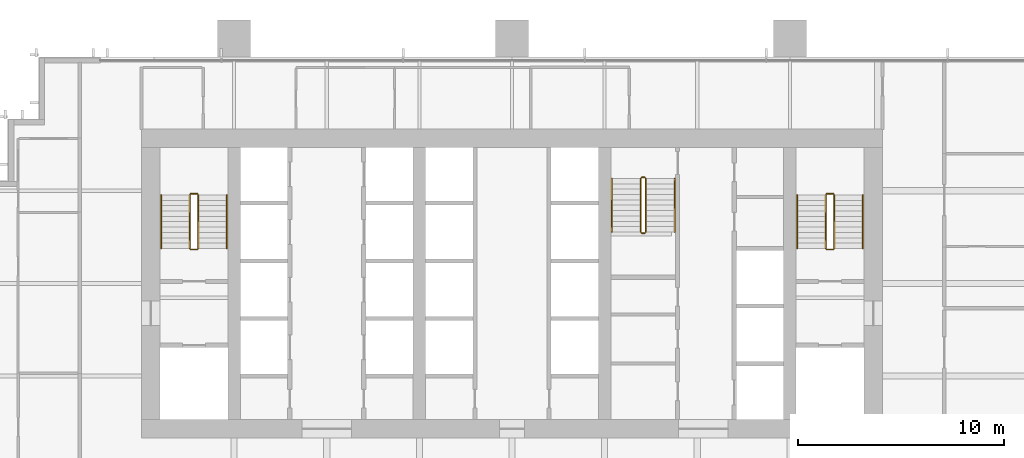
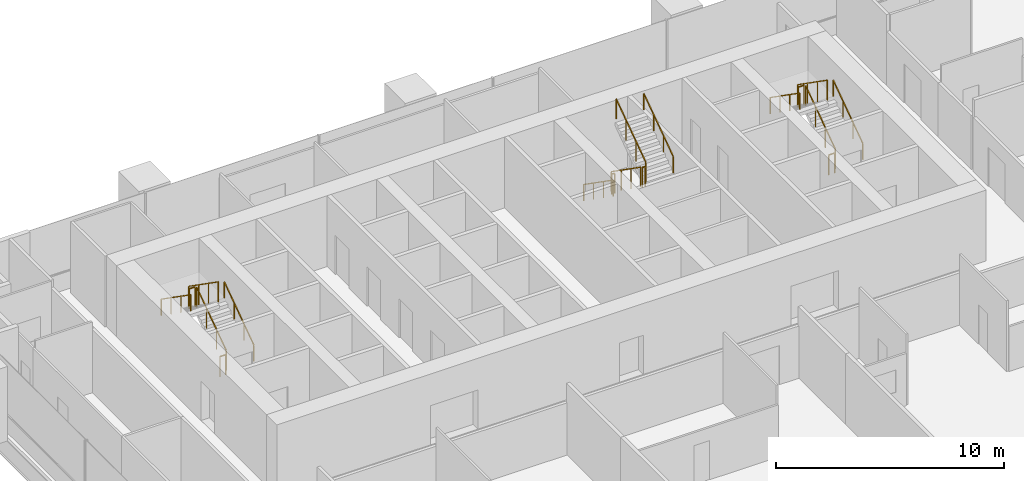
# One storey, part 17 of 17: 18 railings.
"""IFC4 building model written with IfcOpenShell, lengths in metres."""

from ifc_helpers import new_model, si_unit, direction, frame, origin, origin_2d, place, context, subcontext, project, spatial, rectangle, extrude, material, type_object, element, save


model = new_model("IFC4")

# Units and contexts
model_context = context("Model", 3, precision=1e-05, world=origin(), true_north=direction((0.0, 1.0)))
body_context = subcontext(model_context, "Body", "Model", "MODEL_VIEW")
ifc_project = project(units=[si_unit("LENGTHUNIT", "METRE"), si_unit("AREAUNIT", "SQUARE_METRE"), si_unit("VOLUMEUNIT", "CUBIC_METRE"), si_unit("PLANEANGLEUNIT", "RADIAN"), si_unit("MASSUNIT", "GRAM", prefix="KILO")], contexts=[model_context])

# Site, building, storey
site_placement = place(None, origin())
site = spatial("IfcSite", under=ifc_project, at=site_placement, CompositionType="ELEMENT")
building_placement = place(site_placement, origin())
building = spatial("IfcBuilding", under=site, at=building_placement, Name="Rattan Terrace Tower", CompositionType="ELEMENT")
storey_placement = place(building_placement, frame((0.0, 0.0, 107.699951171875)))
storey = spatial("IfcBuildingStorey", under=building, at=storey_placement, Name="L24", CompositionType="ELEMENT", Elevation=107.699951171875)

# Railings
ifc_material_1 = material(Name="Powder-coated steel guard", Category="steel")
railing_type_1 = type_object("IfcRailingType", Name="Core stair guard", PredefinedType="GUARDRAIL", material=ifc_material_1)
railing_1_placement = place(storey_placement, frame((-15.25, 1.699951171875, 0.181884765625)))
element("IfcRailing", 1, at=railing_1_placement, inside=storey, type_object=railing_type_1, Name="L24 S1 stair guard 1", PredefinedType="GUARDRAIL", context=body_context, shape_type="SweptSolid", body=[
    extrude(rectangle(XDim=0.048095703125, YDim=0.048095703125, at=origin_2d()), frame((0.0, 0.0, 1.076171875), z_axis=(0.0, 0.819521025635, 0.573049115296), x_axis=(-1.0, 0.0, 0.0)), (0.0, 0.0, 1.0), 3.172607421875),
    extrude(rectangle(XDim=0.0419921875, YDim=0.0419921875, at=origin_2d()), origin(), (0.0, 0.0, 1.0), 1.052001953125),
    extrude(rectangle(XDim=0.0419921875, YDim=0.0419921875, at=origin_2d()), frame((0.0, 0.86669921875, 0.60595703125)), (0.0, 0.0, 1.0), 1.052001953125),
    extrude(rectangle(XDim=0.0419921875, YDim=0.0419921875, at=origin_2d()), frame((0.0, 1.7333984375, 1.212158203125)), (0.0, 0.0, 1.0), 1.052001953125),
    extrude(rectangle(XDim=0.0419921875, YDim=0.0419921875, at=origin_2d()), frame((0.0, 2.60009765625, 1.818115234375)), (0.0, 0.0, 1.0), 1.052001953125),
])
railing_2_placement = place(storey_placement, frame((-15.300048828125, 4.35009765625, 2.0)))
element("IfcRailing", 2, at=railing_2_placement, inside=storey, type_object=railing_type_1, Name="L24 S1 stair guard 2", PredefinedType="GUARDRAIL", context=body_context, shape_type="SweptSolid", body=[
    extrude(rectangle(XDim=0.048095703125, YDim=0.048095703125, at=origin_2d()), frame((0.0, 0.0, 1.076171875), z_axis=(-1.0, 0.0, 0.0), x_axis=(0.0, -1.0, 0.0)), (0.0, 0.0, 1.0), 0.300048828125),
    extrude(rectangle(XDim=0.0419921875, YDim=0.0419921875, at=origin_2d()), origin(), (0.0, 0.0, 1.0), 1.052001953125),
    extrude(rectangle(XDim=0.0419921875, YDim=0.0419921875, at=origin_2d()), frame((-0.300048828125, 0.0, 0.0)), (0.0, 0.0, 1.0), 1.052001953125),
])
railing_3_placement = place(storey_placement, frame((-15.64990234375, 4.300048828125, 2.181884765625)))
element("IfcRailing", 3, at=railing_3_placement, inside=storey, type_object=railing_type_1, Name="L24 S1 stair guard 3", PredefinedType="GUARDRAIL", context=body_context, shape_type="SweptSolid", body=[
    extrude(rectangle(XDim=0.048095703125, YDim=0.048095703125, at=origin_2d()), frame((0.0, 0.0, 1.076171875), z_axis=(0.0, -0.819521025635, 0.573049115296), x_axis=(1.0, 0.0, 0.0)), (0.0, 0.0, 1.0), 3.172607421875),
    extrude(rectangle(XDim=0.0419921875, YDim=0.0419921875, at=origin_2d()), origin(), (0.0, 0.0, 1.0), 1.052001953125),
    extrude(rectangle(XDim=0.0419921875, YDim=0.0419921875, at=origin_2d()), frame((0.0, -0.86669921875, 0.60595703125)), (0.0, 0.0, 1.0), 1.052001953125),
    extrude(rectangle(XDim=0.0419921875, YDim=0.0419921875, at=origin_2d()), frame((0.0, -1.7333984375, 1.212158203125)), (0.0, 0.0, 1.0), 1.052001953125),
    extrude(rectangle(XDim=0.0419921875, YDim=0.0419921875, at=origin_2d()), frame((0.0, -2.60009765625, 1.818115234375)), (0.0, 0.0, 1.0), 1.052001953125),
])
railing_4_placement = place(storey_placement, frame((-15.300048828125, 1.64990234375, 0.0)))
element("IfcRailing", 4, at=railing_4_placement, inside=storey, type_object=railing_type_1, Name="L24 S1 stair guard 4", PredefinedType="GUARDRAIL", context=body_context, shape_type="SweptSolid", body=[
    extrude(rectangle(XDim=0.048095703125, YDim=0.048095703125, at=origin_2d()), frame((0.0, 0.0, 1.076171875), z_axis=(-1.0, 0.0, 0.0), x_axis=(0.0, -1.0, 0.0)), (0.0, 0.0, 1.0), 0.300048828125),
    extrude(rectangle(XDim=0.0419921875, YDim=0.0419921875, at=origin_2d()), origin(), (0.0, 0.0, 1.0), 1.052001953125),
    extrude(rectangle(XDim=0.0419921875, YDim=0.0419921875, at=origin_2d()), frame((-0.300048828125, 0.0, 0.0)), (0.0, 0.0, 1.0), 1.052001953125),
])
railing_5_placement = place(storey_placement, frame((15.64990234375, 1.699951171875, 0.181884765625)))
element("IfcRailing", 5, at=railing_5_placement, inside=storey, type_object=railing_type_1, Name="L24 S2 stair guard 1", PredefinedType="GUARDRAIL", context=body_context, shape_type="SweptSolid", body=[
    extrude(rectangle(XDim=0.048095703125, YDim=0.048095703125, at=origin_2d()), frame((0.0, 0.0, 1.076171875), z_axis=(0.0, 0.819521025635, 0.573049115296), x_axis=(-1.0, 0.0, 0.0)), (0.0, 0.0, 1.0), 3.172607421875),
    extrude(rectangle(XDim=0.0419921875, YDim=0.0419921875, at=origin_2d()), origin(), (0.0, 0.0, 1.0), 1.052001953125),
    extrude(rectangle(XDim=0.0419921875, YDim=0.0419921875, at=origin_2d()), frame((0.0, 0.86669921875, 0.60595703125)), (0.0, 0.0, 1.0), 1.052001953125),
    extrude(rectangle(XDim=0.0419921875, YDim=0.0419921875, at=origin_2d()), frame((0.0, 1.7333984375, 1.212158203125)), (0.0, 0.0, 1.0), 1.052001953125),
    extrude(rectangle(XDim=0.0419921875, YDim=0.0419921875, at=origin_2d()), frame((0.0, 2.60009765625, 1.818115234375)), (0.0, 0.0, 1.0), 1.052001953125),
])
railing_6_placement = place(storey_placement, frame((15.60009765625, 4.35009765625, 2.0)))
element("IfcRailing", 6, at=railing_6_placement, inside=storey, type_object=railing_type_1, Name="L24 S2 stair guard 2", PredefinedType="GUARDRAIL", context=body_context, shape_type="SweptSolid", body=[
    extrude(rectangle(XDim=0.048095703125, YDim=0.048095703125, at=origin_2d()), frame((0.0, 0.0, 1.076171875), z_axis=(-1.0, 0.0, 0.0), x_axis=(0.0, -1.0, 0.0)), (0.0, 0.0, 1.0), 0.300048828125),
    extrude(rectangle(XDim=0.0419921875, YDim=0.0419921875, at=origin_2d()), origin(), (0.0, 0.0, 1.0), 1.052001953125),
    extrude(rectangle(XDim=0.0419921875, YDim=0.0419921875, at=origin_2d()), frame((-0.300048828125, 0.0, 0.0)), (0.0, 0.0, 1.0), 1.052001953125),
])
railing_7_placement = place(storey_placement, frame((15.25, 4.300048828125, 2.181884765625)))
element("IfcRailing", 7, at=railing_7_placement, inside=storey, type_object=railing_type_1, Name="L24 S2 stair guard 3", PredefinedType="GUARDRAIL", context=body_context, shape_type="SweptSolid", body=[
    extrude(rectangle(XDim=0.048095703125, YDim=0.048095703125, at=origin_2d()), frame((0.0, 0.0, 1.076171875), z_axis=(0.0, -0.819521025635, 0.573049115296), x_axis=(1.0, 0.0, 0.0)), (0.0, 0.0, 1.0), 3.172607421875),
    extrude(rectangle(XDim=0.0419921875, YDim=0.0419921875, at=origin_2d()), origin(), (0.0, 0.0, 1.0), 1.052001953125),
    extrude(rectangle(XDim=0.0419921875, YDim=0.0419921875, at=origin_2d()), frame((0.0, -0.86669921875, 0.60595703125)), (0.0, 0.0, 1.0), 1.052001953125),
    extrude(rectangle(XDim=0.0419921875, YDim=0.0419921875, at=origin_2d()), frame((0.0, -1.7333984375, 1.212158203125)), (0.0, 0.0, 1.0), 1.052001953125),
    extrude(rectangle(XDim=0.0419921875, YDim=0.0419921875, at=origin_2d()), frame((0.0, -2.60009765625, 1.818115234375)), (0.0, 0.0, 1.0), 1.052001953125),
])
railing_8_placement = place(storey_placement, frame((15.60009765625, 1.64990234375, 0.0)))
element("IfcRailing", 8, at=railing_8_placement, inside=storey, type_object=railing_type_1, Name="L24 S2 stair guard 4", PredefinedType="GUARDRAIL", context=body_context, shape_type="SweptSolid", body=[
    extrude(rectangle(XDim=0.048095703125, YDim=0.048095703125, at=origin_2d()), frame((0.0, 0.0, 1.076171875), z_axis=(-1.0, 0.0, 0.0), x_axis=(0.0, -1.0, 0.0)), (0.0, 0.0, 1.0), 0.300048828125),
    extrude(rectangle(XDim=0.0419921875, YDim=0.0419921875, at=origin_2d()), origin(), (0.0, 0.0, 1.0), 1.052001953125),
    extrude(rectangle(XDim=0.0419921875, YDim=0.0419921875, at=origin_2d()), frame((-0.300048828125, 0.0, 0.0)), (0.0, 0.0, 1.0), 1.052001953125),
])
railing_9_placement = place(storey_placement, frame((6.25, 5.10009765625, 0.181884765625)))
element("IfcRailing", 9, at=railing_9_placement, inside=storey, type_object=railing_type_1, Name="L24 S3 stair guard 1", PredefinedType="GUARDRAIL", context=body_context, shape_type="SweptSolid", body=[
    extrude(rectangle(XDim=0.048095703125, YDim=0.048095703125, at=origin_2d()), frame((0.0, 0.0, 1.076171875), z_axis=(0.0, -0.819521025635, 0.573049115296), x_axis=(1.0, 0.0, 0.0)), (0.0, 0.0, 1.0), 3.172607421875),
    extrude(rectangle(XDim=0.0419921875, YDim=0.0419921875, at=origin_2d()), origin(), (0.0, 0.0, 1.0), 1.052001953125),
    extrude(rectangle(XDim=0.0419921875, YDim=0.0419921875, at=origin_2d()), frame((0.0, -0.86669921875, 0.60595703125)), (0.0, 0.0, 1.0), 1.052001953125),
    extrude(rectangle(XDim=0.0419921875, YDim=0.0419921875, at=origin_2d()), frame((0.0, -1.7333984375, 1.212158203125)), (0.0, 0.0, 1.0), 1.052001953125),
    extrude(rectangle(XDim=0.0419921875, YDim=0.0419921875, at=origin_2d()), frame((0.0, -2.60009765625, 1.818115234375)), (0.0, 0.0, 1.0), 1.052001953125),
])
railing_10_placement = place(storey_placement, frame((6.300048828125, 2.449951171875, 2.0)))
element("IfcRailing", 10, at=railing_10_placement, inside=storey, type_object=railing_type_1, Name="L24 S3 stair guard 2", PredefinedType="GUARDRAIL", context=body_context, shape_type="SweptSolid", body=[
    extrude(rectangle(XDim=0.048095703125, YDim=0.048095703125, at=origin_2d()), frame((0.0, 0.0, 1.076171875), z_axis=(1.0, 0.0, 0.0), x_axis=(0.0, 1.0, 0.0)), (0.0, 0.0, 1.0), 0.14990234375),
    extrude(rectangle(XDim=0.0419921875, YDim=0.0419921875, at=origin_2d()), origin(), (0.0, 0.0, 1.0), 1.052001953125),
    extrude(rectangle(XDim=0.0419921875, YDim=0.0419921875, at=origin_2d()), frame((0.14990234375, 0.0, 0.0)), (0.0, 0.0, 1.0), 1.052001953125),
])
railing_11_placement = place(storey_placement, frame((6.5, 2.5, 2.181884765625)))
element("IfcRailing", 11, at=railing_11_placement, inside=storey, type_object=railing_type_1, Name="L24 S3 stair guard 3", PredefinedType="GUARDRAIL", context=body_context, shape_type="SweptSolid", body=[
    extrude(rectangle(XDim=0.048095703125, YDim=0.048095703125, at=origin_2d()), frame((0.0, 0.0, 1.076171875), z_axis=(0.0, 0.819521025635, 0.573049115296), x_axis=(-1.0, 0.0, 0.0)), (0.0, 0.0, 1.0), 3.172607421875),
    extrude(rectangle(XDim=0.0419921875, YDim=0.0419921875, at=origin_2d()), origin(), (0.0, 0.0, 1.0), 1.052001953125),
    extrude(rectangle(XDim=0.0419921875, YDim=0.0419921875, at=origin_2d()), frame((0.0, 0.86669921875, 0.60595703125)), (0.0, 0.0, 1.0), 1.052001953125),
    extrude(rectangle(XDim=0.0419921875, YDim=0.0419921875, at=origin_2d()), frame((0.0, 1.7333984375, 1.212158203125)), (0.0, 0.0, 1.0), 1.052001953125),
    extrude(rectangle(XDim=0.0419921875, YDim=0.0419921875, at=origin_2d()), frame((0.0, 2.60009765625, 1.818115234375)), (0.0, 0.0, 1.0), 1.052001953125),
])
railing_12_placement = place(storey_placement, frame((6.300048828125, 5.14990234375, 0.0)))
element("IfcRailing", 12, at=railing_12_placement, inside=storey, type_object=railing_type_1, Name="L24 S3 stair guard 4", PredefinedType="GUARDRAIL", context=body_context, shape_type="SweptSolid", body=[
    extrude(rectangle(XDim=0.048095703125, YDim=0.048095703125, at=origin_2d()), frame((0.0, 0.0, 1.076171875), z_axis=(1.0, 0.0, 0.0), x_axis=(0.0, 1.0, 0.0)), (0.0, 0.0, 1.0), 0.14990234375),
    extrude(rectangle(XDim=0.0419921875, YDim=0.0419921875, at=origin_2d()), origin(), (0.0, 0.0, 1.0), 1.052001953125),
    extrude(rectangle(XDim=0.0419921875, YDim=0.0419921875, at=origin_2d()), frame((0.14990234375, 0.0, 0.0)), (0.0, 0.0, 1.0), 1.052001953125),
])
ifc_material_2 = material(Name="Powder-coated steel handrail", Category="steel")
railing_type_2 = type_object("IfcRailingType", Name="Core stair handrail", PredefinedType="HANDRAIL", material=ifc_material_2)
railing_13_placement = place(storey_placement, frame((-13.85009765625, 1.699951171875, 0.181884765625)))
element("IfcRailing", 13, at=railing_13_placement, inside=storey, type_object=railing_type_2, Name="L24 S1 stair handrail 1", PredefinedType="HANDRAIL", context=body_context, shape_type="SweptSolid", body=[
    extrude(rectangle(XDim=0.048095703125, YDim=0.048095703125, at=origin_2d()), frame((0.0, 0.0, 0.8759765625), z_axis=(0.0, 0.819521025635, 0.573049115296), x_axis=(-1.0, 0.0, 0.0)), (0.0, 0.0, 1.0), 3.172607421875),
    extrude(rectangle(XDim=0.0419921875, YDim=0.0419921875, at=origin_2d()), origin(), (0.0, 0.0, 1.0), 0.851806640625),
    extrude(rectangle(XDim=0.0419921875, YDim=0.0419921875, at=origin_2d()), frame((0.0, 0.86669921875, 0.60595703125)), (0.0, 0.0, 1.0), 0.851806640625),
    extrude(rectangle(XDim=0.0419921875, YDim=0.0419921875, at=origin_2d()), frame((0.0, 1.7333984375, 1.212158203125)), (0.0, 0.0, 1.0), 0.851806640625),
    extrude(rectangle(XDim=0.0419921875, YDim=0.0419921875, at=origin_2d()), frame((0.0, 2.60009765625, 1.818115234375)), (0.0, 0.0, 1.0), 0.851806640625),
])
railing_14_placement = place(storey_placement, frame((-17.050048828125, 4.300048828125, 2.181884765625)))
element("IfcRailing", 14, at=railing_14_placement, inside=storey, type_object=railing_type_2, Name="L24 S1 stair handrail 2", PredefinedType="HANDRAIL", context=body_context, shape_type="SweptSolid", body=[
    extrude(rectangle(XDim=0.048095703125, YDim=0.048095703125, at=origin_2d()), frame((0.0, 0.0, 0.8759765625), z_axis=(0.0, -0.819521025635, 0.573049115296), x_axis=(1.0, 0.0, 0.0)), (0.0, 0.0, 1.0), 3.172607421875),
    extrude(rectangle(XDim=0.0419921875, YDim=0.0419921875, at=origin_2d()), origin(), (0.0, 0.0, 1.0), 0.851806640625),
    extrude(rectangle(XDim=0.0419921875, YDim=0.0419921875, at=origin_2d()), frame((0.0, -0.86669921875, 0.60595703125)), (0.0, 0.0, 1.0), 0.851806640625),
    extrude(rectangle(XDim=0.0419921875, YDim=0.0419921875, at=origin_2d()), frame((0.0, -1.7333984375, 1.212158203125)), (0.0, 0.0, 1.0), 0.851806640625),
    extrude(rectangle(XDim=0.0419921875, YDim=0.0419921875, at=origin_2d()), frame((0.0, -2.60009765625, 1.818115234375)), (0.0, 0.0, 1.0), 0.851806640625),
])
railing_15_placement = place(storey_placement, frame((17.050048828125, 1.699951171875, 0.181884765625)))
element("IfcRailing", 15, at=railing_15_placement, inside=storey, type_object=railing_type_2, Name="L24 S2 stair handrail 1", PredefinedType="HANDRAIL", context=body_context, shape_type="SweptSolid", body=[
    extrude(rectangle(XDim=0.048095703125, YDim=0.048095703125, at=origin_2d()), frame((0.0, 0.0, 0.8759765625), z_axis=(0.0, 0.819521025635, 0.573049115296), x_axis=(-1.0, 0.0, 0.0)), (0.0, 0.0, 1.0), 3.172607421875),
    extrude(rectangle(XDim=0.0419921875, YDim=0.0419921875, at=origin_2d()), origin(), (0.0, 0.0, 1.0), 0.851806640625),
    extrude(rectangle(XDim=0.0419921875, YDim=0.0419921875, at=origin_2d()), frame((0.0, 0.86669921875, 0.60595703125)), (0.0, 0.0, 1.0), 0.851806640625),
    extrude(rectangle(XDim=0.0419921875, YDim=0.0419921875, at=origin_2d()), frame((0.0, 1.7333984375, 1.212158203125)), (0.0, 0.0, 1.0), 0.851806640625),
    extrude(rectangle(XDim=0.0419921875, YDim=0.0419921875, at=origin_2d()), frame((0.0, 2.60009765625, 1.818115234375)), (0.0, 0.0, 1.0), 0.851806640625),
])
for number, where, name in (
    (16, (13.85009765625, 4.300048828125, 2.181884765625), "L24 S2 stair handrail 2"),
    (17, (4.85009765625, 5.10009765625, 0.181884765625), "L24 S3 stair handrail 1"),
):
    element("IfcRailing", number, at=place(storey_placement, frame(where)), inside=storey, type_object=railing_type_2, Name=name, PredefinedType="HANDRAIL", context=body_context, shape_type="SweptSolid", body=[
        extrude(rectangle(XDim=0.048095703125, YDim=0.048095703125, at=origin_2d()), frame((0.0, 0.0, 0.8759765625), z_axis=(0.0, -0.819521025635, 0.573049115296), x_axis=(1.0, 0.0, 0.0)), (0.0, 0.0, 1.0), 3.172607421875),
        extrude(rectangle(XDim=0.0419921875, YDim=0.0419921875, at=origin_2d()), origin(), (0.0, 0.0, 1.0), 0.851806640625),
        extrude(rectangle(XDim=0.0419921875, YDim=0.0419921875, at=origin_2d()), frame((0.0, -0.86669921875, 0.60595703125)), (0.0, 0.0, 1.0), 0.851806640625),
        extrude(rectangle(XDim=0.0419921875, YDim=0.0419921875, at=origin_2d()), frame((0.0, -1.7333984375, 1.212158203125)), (0.0, 0.0, 1.0), 0.851806640625),
        extrude(rectangle(XDim=0.0419921875, YDim=0.0419921875, at=origin_2d()), frame((0.0, -2.60009765625, 1.818115234375)), (0.0, 0.0, 1.0), 0.851806640625),
    ])
railing_16_placement = place(storey_placement, frame((7.89990234375, 2.5, 2.181884765625)))
element("IfcRailing", 18, at=railing_16_placement, inside=storey, type_object=railing_type_2, Name="L24 S3 stair handrail 2", PredefinedType="HANDRAIL", context=body_context, shape_type="SweptSolid", body=[
    extrude(rectangle(XDim=0.048095703125, YDim=0.048095703125, at=origin_2d()), frame((0.0, 0.0, 0.8759765625), z_axis=(0.0, 0.819521025635, 0.573049115296), x_axis=(-1.0, 0.0, 0.0)), (0.0, 0.0, 1.0), 3.172607421875),
    extrude(rectangle(XDim=0.0419921875, YDim=0.0419921875, at=origin_2d()), origin(), (0.0, 0.0, 1.0), 0.851806640625),
    extrude(rectangle(XDim=0.0419921875, YDim=0.0419921875, at=origin_2d()), frame((0.0, 0.86669921875, 0.60595703125)), (0.0, 0.0, 1.0), 0.851806640625),
    extrude(rectangle(XDim=0.0419921875, YDim=0.0419921875, at=origin_2d()), frame((0.0, 1.7333984375, 1.212158203125)), (0.0, 0.0, 1.0), 0.851806640625),
    extrude(rectangle(XDim=0.0419921875, YDim=0.0419921875, at=origin_2d()), frame((0.0, 2.60009765625, 1.818115234375)), (0.0, 0.0, 1.0), 0.851806640625),
])

save(model, "model.ifc")
